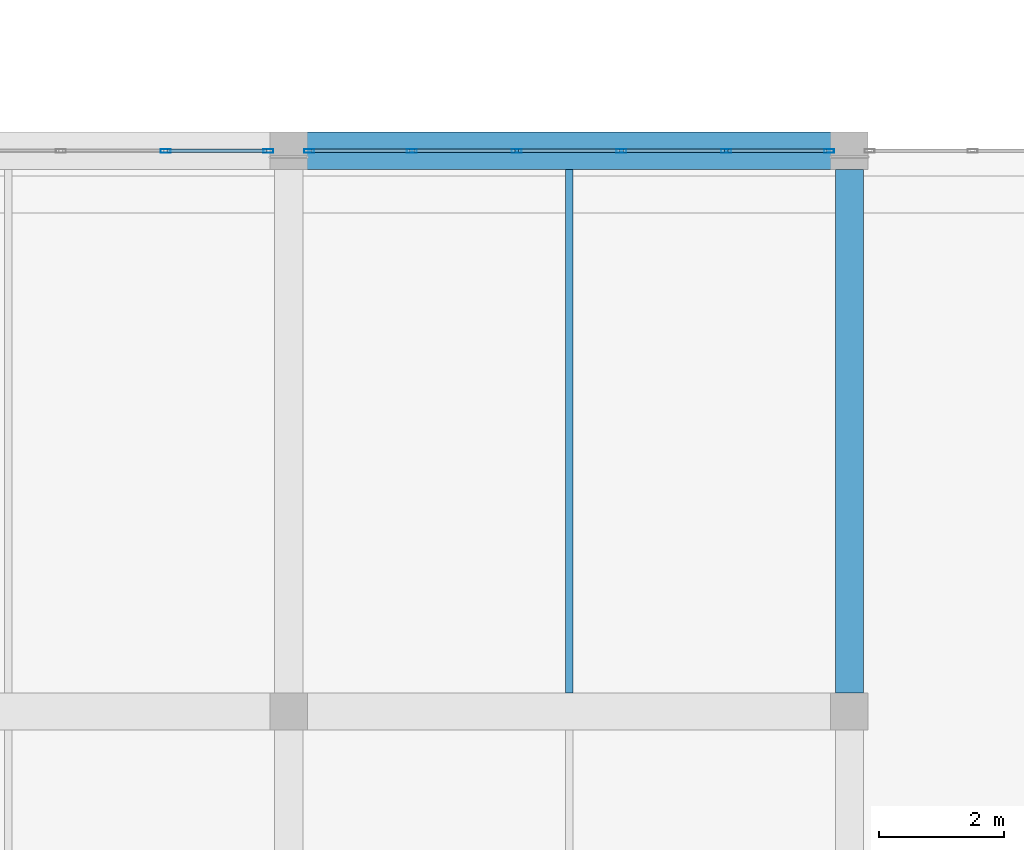
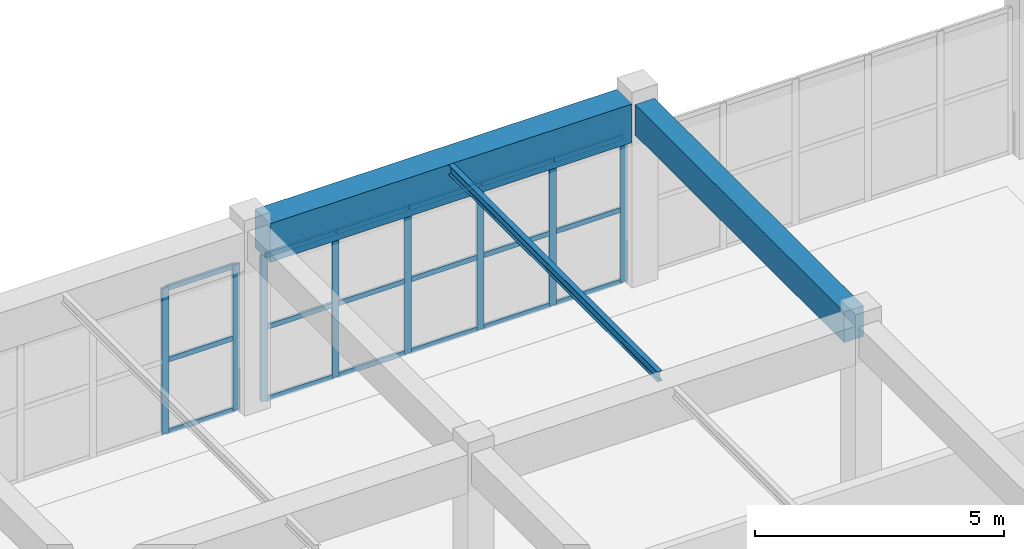
# One storey, part 32 of 89: 26 members, 3 beams, 2 elements without a shape of their own.
"""IFC4 building model written with IfcOpenShell, lengths in metres."""

import ifcopenshell
import ifcopenshell.guid

model = None  # the IFC model being written
_history = None  # IfcOwnerHistory: only IFC2X3 demands one
_inside = {}  # id of a spatial element -> (the spatial element, [elements in it])
_under = {}  # id of a project, library or spatial element -> (it, [spatial elements below it])
_declared = {}  # id of a project -> (the project, [libraries it declares])
_typed = {}  # id of a type object -> (the type object, [elements of that type])
_made_of = {}  # id of a material, layer set ... -> (it, [elements and type objects made of it])


def new_model(schema):
    """Start an empty IFC model of exactly this schema.

    Asked for "IFC4X3", IfcOpenShell would pick the latest addendum, in which some entities
    have other attributes; the version numbers below select the first issue.
    IFC2X3 requires an IfcOwnerHistory on every rooted entity: one is made here for all.
    """
    global model, _history
    if schema == "IFC4X3":
        model = ifcopenshell.file(schema_version=(4, 3, 0, 0))
    else:
        model = ifcopenshell.file(schema=schema)
    _inside.clear()
    _under.clear()
    _declared.clear()
    _typed.clear()
    _made_of.clear()
    _history = None
    if model.schema == "IFC2X3":
        org = make("IfcOrganization", Name="unknown")
        user = make(
            "IfcPersonAndOrganization",
            ThePerson=make("IfcPerson", FamilyName="unknown"),
            TheOrganization=org,
        )
        app = make(
            "IfcApplication",
            ApplicationDeveloper=org,
            Version="unknown",
            ApplicationFullName="unknown",
            ApplicationIdentifier="unknown",
        )
        _history = make(
            "IfcOwnerHistory",
            OwningUser=user,
            OwningApplication=app,
            ChangeAction="ADDED",
            CreationDate=0,
        )
    return model


def make(cls, **values):
    """One entity of the class cls with the attributes given. An attribute that is None is left unset."""
    return model.create_entity(
        cls, **{name: value for name, value in values.items() if value is not None}
    )


def rooted(cls, **values):
    """An entity with a GlobalId (a new one), such as an element, a storey or a relation."""
    return make(cls, GlobalId=ifcopenshell.guid.new(), OwnerHistory=_history, **values)


def si_unit(unit_type, name, prefix=None):
    """IfcSIUnit, for example si_unit("LENGTHUNIT", "METRE", prefix="MILLI")."""
    return make("IfcSIUnit", UnitType=unit_type, Prefix=prefix, Name=name)


def assignment(units):
    """IfcUnitAssignment: the units of a project."""
    return None if units is None else make("IfcUnitAssignment", Units=units)


def point(xyz):
    """IfcCartesianPoint."""
    return None if xyz is None else make("IfcCartesianPoint", Coordinates=xyz)


def direction(xyz):
    """IfcDirection."""
    return None if xyz is None else make("IfcDirection", DirectionRatios=xyz)


def frame(location, z_axis=None, x_axis=None):
    """IfcAxis2Placement3D, a coordinate frame: its origin and axes. An axis left out is left unset."""
    return make(
        "IfcAxis2Placement3D",
        Location=point(location),
        Axis=direction(z_axis),
        RefDirection=direction(x_axis),
    )


def frame_2d(location, x_axis=None):
    """IfcAxis2Placement2D, a coordinate frame in the plane: its origin and x axis."""
    return make(
        "IfcAxis2Placement2D", Location=point(location), RefDirection=direction(x_axis)
    )


def origin():
    """The frame at (0, 0, 0) with its axes left unset."""
    return frame((0.0, 0.0, 0.0))


def origin_2d():
    """The frame at (0, 0) in the plane with its x axis left unset."""
    return frame_2d((0.0, 0.0))


def place(relative_to, where):
    """IfcLocalPlacement: puts the frame where relative to a parent placement (None: the world)."""
    return make(
        "IfcLocalPlacement", PlacementRelTo=relative_to, RelativePlacement=where
    )


def context(
    kind, dimensions, precision=None, world=None, true_north=None, identifier=None
):
    """IfcGeometricRepresentationContext, for example the 3D "Model" context."""
    return make(
        "IfcGeometricRepresentationContext",
        ContextIdentifier=identifier,
        ContextType=kind,
        CoordinateSpaceDimension=dimensions,
        Precision=precision,
        WorldCoordinateSystem=world,
        TrueNorth=true_north,
    )


def subcontext(parent, identifier, kind, view, scale=None):
    """IfcGeometricRepresentationSubContext, for example "Body" below "Model"."""
    return make(
        "IfcGeometricRepresentationSubContext",
        ContextIdentifier=identifier,
        ContextType=kind,
        ParentContext=parent,
        TargetScale=scale,
        TargetView=view,
    )


def project(units=None, contexts=None):
    """IfcProject with its units and contexts."""
    return rooted(
        "IfcProject",
        Name="project",
        RepresentationContexts=contexts,
        UnitsInContext=assignment(units),
    )


def spatial(cls, under=None, at=None, **own):
    """A site, building, storey or space (cls), placed at a placement, below another one or the project."""
    s = rooted(cls, ObjectPlacement=at, **own)
    if under is not None:
        _under.setdefault(under.id(), (under, []))[1].append(s)
    return s


def profile(cls, at=None, kind="AREA", **sizes):
    """A parametric profile (cls). Its sizes go by their IFC names, for example OverallWidth=200.0."""
    return make(cls, ProfileType=kind, Position=at, **sizes)


def rectangle(**sizes):
    """IfcRectangleProfileDef."""
    return profile("IfcRectangleProfileDef", **sizes)


def hollow_rectangle(**sizes):
    """IfcRectangleHollowProfileDef."""
    return profile("IfcRectangleHollowProfileDef", **sizes)


def i_section(**sizes):
    """IfcIShapeProfileDef."""
    return profile("IfcIShapeProfileDef", **sizes)


def extrude(swept, where, along, depth):
    """IfcExtrudedAreaSolid: the profile swept, set in the frame where, extruded along a direction by depth."""
    return make(
        "IfcExtrudedAreaSolid",
        SweptArea=swept,
        Position=where,
        ExtrudedDirection=direction(along),
        Depth=depth,
    )


def shape(context_of_items, identifier, shape_type, items):
    """IfcShapeRepresentation: the items that make up one representation, for example the "Body"."""
    return make(
        "IfcShapeRepresentation",
        ContextOfItems=context_of_items,
        RepresentationIdentifier=identifier,
        RepresentationType=shape_type,
        Items=items,
    )


def material(Name=None, Category=None):
    """IfcMaterial."""
    return make("IfcMaterial", Name=Name, Category=Category)


def layer(
    of_material, thickness, ventilated=None, Name=None, Category=None, Priority=None
):
    """IfcMaterialLayer: one layer of a wall or slab, of a material (None: an air gap)."""
    return make(
        "IfcMaterialLayer",
        Material=of_material,
        LayerThickness=thickness,
        IsVentilated=ventilated,
        Name=Name,
        Category=Category,
        Priority=Priority,
    )


def layer_set(layers, Name=None):
    """IfcMaterialLayerSet."""
    return make("IfcMaterialLayerSet", MaterialLayers=layers, LayerSetName=Name)


def material_profile(
    of_material, cross_section, Name=None, Category=None, Priority=None
):
    """IfcMaterialProfile: a cross section and its material."""
    return make(
        "IfcMaterialProfile",
        Name=Name,
        Material=of_material,
        Profile=cross_section,
        Priority=Priority,
        Category=Category,
    )


def profile_set(profiles, Name=None, composite=None):
    """IfcMaterialProfileSet."""
    return make(
        "IfcMaterialProfileSet",
        Name=Name,
        MaterialProfiles=profiles,
        CompositeProfile=composite,
    )


def made_of(thing, what):
    """Note that an element or type object is made of a material, layer set ...; save() writes the relation."""
    if what is not None:
        _made_of.setdefault(what.id(), (what, []))[1].append(thing)
    return thing


def type_object(cls, material=None, **own):
    """A type object (cls), such as IfcWallType, which elements share."""
    return made_of(rooted(cls, **own), material)


def element(
    cls,
    number,
    at=None,
    inside=None,
    cuts=None,
    type_object=None,
    material=None,
    context=None,
    identifier="Body",
    shape_type=None,
    held_by="IfcProductDefinitionShape",
    body=None,
    shapes=None,
    **own,
):
    """One element of the class cls, such as IfcWall. Its Tag is "e" and its number.

    at: its placement. inside: the storey or other place that contains it. cuts: it is an
    opening in that element (IfcRelVoidsElement). A single representation is given by context,
    identifier, shape_type and body (its items); several are given by shapes. held_by: the class
    of the entity that holds the representations. save() writes the other relations.
    """
    e = rooted(cls, Tag="e%d" % number, ObjectPlacement=at, **own)
    if body is not None:
        shapes = [shape(context, identifier, shape_type, body)]
    if shapes is not None:
        e.Representation = make(held_by, Representations=shapes)
    if inside is not None:
        _inside.setdefault(inside.id(), (inside, []))[1].append(e)
    if cuts is not None:
        rooted(
            "IfcRelVoidsElement", RelatingBuildingElement=cuts, RelatedOpeningElement=e
        )
    if type_object is not None:
        _typed.setdefault(type_object.id(), (type_object, []))[1].append(e)
    return made_of(e, material)


def aggregate(whole, parts):
    """IfcRelAggregates: a whole, such as a stair, and the parts it consists of."""
    return rooted("IfcRelAggregates", RelatingObject=whole, RelatedObjects=parts)


def save(model, path):
    """Write the relations noted so far, then the file.

    IfcRelAggregates (storeys below a building ...), IfcRelContainedInSpatialStructure (elements
    in a storey), IfcRelDefinesByType, IfcRelAssociatesMaterial and IfcRelDeclares: one each for
    every whole, place, type object, material and project.
    """
    for whole, parts in _under.values():
        aggregate(whole, parts)
    for where, things in _inside.values():
        rooted(
            "IfcRelContainedInSpatialStructure",
            RelatedElements=things,
            RelatingStructure=where,
        )
    for kind, things in _typed.values():
        rooted("IfcRelDefinesByType", RelatedObjects=things, RelatingType=kind)
    for what, things in _made_of.values():
        rooted("IfcRelAssociatesMaterial", RelatedObjects=things, RelatingMaterial=what)
    for by, libraries in _declared.values():
        rooted("IfcRelDeclares", RelatingContext=by, RelatedDefinitions=libraries)
    model.write(path)


model = new_model("IFC4")

# Units and contexts
model_context = context("Model", 3, precision=1e-05, world=origin(), true_north=direction((0.0, 1.0)))
body_context = subcontext(model_context, "Body", "Model", "MODEL_VIEW")
ifc_project = project(units=[si_unit("LENGTHUNIT", "METRE"), si_unit("AREAUNIT", "SQUARE_METRE"), si_unit("VOLUMEUNIT", "CUBIC_METRE"), si_unit("PLANEANGLEUNIT", "RADIAN"), si_unit("MASSUNIT", "GRAM", prefix="KILO")], contexts=[model_context])

# Site, building, storey
site_placement = place(None, origin())
site = spatial("IfcSite", under=ifc_project, at=site_placement, CompositionType="ELEMENT")
building_placement = place(site_placement, origin())
building = spatial("IfcBuilding", under=site, at=building_placement, Name="Dornveld Trade and Exhibition Forum", CompositionType="ELEMENT")
storey_placement = place(building_placement, frame((0.0, 0.0, 12.0)))
storey = spatial("IfcBuildingStorey", under=building, at=storey_placement, Name="L02", CompositionType="ELEMENT", Elevation=12.0)

# Beams
ifc_material_1 = material(Name="Steel S355J2", Category="steel")
ifc_material_profile_1 = material_profile(ifc_material_1, i_section(OverallWidth=0.1201171875, OverallDepth=0.239990234375, WebThickness=0.006103515625, FlangeThickness=0.009765625, FilletRadius=0.014892578125, at=origin_2d()), Name="IPE 240")
ifc_profile_set_1 = profile_set([ifc_material_profile_1], Name="Steel S355J2")
beam_type_1 = type_object("IfcBeamType", Name="BM-JOIST-240", PredefinedType="JOIST", material=ifc_profile_set_1)
beam_1_placement = place(storey_placement, frame((211.5, 45.297119140625, 4.39990234375), z_axis=(0.0, 1.0, 0.0), x_axis=(-1.0, 0.0, 0.0)))
element("IfcBeam", 1, at=beam_1_placement, inside=storey, type_object=beam_type_1, Name="L02 secondary joist 1584", PredefinedType="JOIST", context=body_context, shape_type="SweptSolid", body=[
    extrude(i_section(OverallWidth=0.1201171875, OverallDepth=0.239990234375, WebThickness=0.006103515625, FlangeThickness=0.009765625, FilletRadius=0.014892578125, at=origin_2d()), origin(), (0.0, 0.0, 1.0), 8.40576171875),
])
ifc_material_2 = material(Name="Precast concrete C50/60", Category="concrete")
ifc_material_profile_2 = material_profile(ifc_material_2, rectangle(XDim=0.449951171875, YDim=0.75, at=origin_2d()), Name="PC-BM 450x750")
ifc_profile_set_2 = profile_set([ifc_material_profile_2], Name="Precast concrete C50/60")
beam_type_2 = type_object("IfcBeamType", Name="BM-PC-450x750", PredefinedType="BEAM", material=ifc_profile_set_2)
beam_2_placement = place(storey_placement, frame((216.0, 45.2958984375, 4.10302734375), z_axis=(0.0, 1.0, 0.0), x_axis=(-1.0, 0.0, 0.0)))
element("IfcBeam", 2, at=beam_2_placement, inside=storey, type_object=beam_type_2, Name="L02 Y-girder 1575", PredefinedType="BEAM", context=body_context, shape_type="SweptSolid", body=[
    extrude(rectangle(XDim=0.449951171875, YDim=0.75, at=origin_2d()), origin(), (0.0, 0.0, 1.0), 8.408203125),
])
ifc_material_3 = material(Name="Precast concrete C50/60", Category="concrete")
ifc_material_profile_3 = material_profile(ifc_material_3, rectangle(XDim=0.60009765625, YDim=0.949951171875, at=origin_2d()), Name="PC-GIR 600x950")
ifc_profile_set_3 = profile_set([ifc_material_profile_3], Name="Precast concrete C50/60")
beam_type_3 = type_object("IfcBeamType", Name="BM-PC-600x950", PredefinedType="T_BEAM", material=ifc_profile_set_3)
beam_3_placement = place(storey_placement, frame((207.2958984375, 54.0, 4.044921875), z_axis=(1.0, 0.0, 0.0), x_axis=(0.0, 1.0, 0.0)))
element("IfcBeam", 3, at=beam_3_placement, inside=storey, type_object=beam_type_3, Name="L02 X-girder 1557", PredefinedType="T_BEAM", context=body_context, shape_type="SweptSolid", body=[
    extrude(rectangle(XDim=0.60009765625, YDim=0.949951171875, at=origin_2d()), origin(), (0.0, 0.0, 1.0), 8.408203125),
])

# Curtain wall, members
ifc_material_4 = material(Name="Dark-bronze anodised aluminium and low-E glass", Category="aluminium")
ifc_layer_1 = layer(ifc_material_4, 0.14501953125)
ifc_layer_set_1 = layer_set([ifc_layer_1], Name="Dark-bronze anodised aluminium and low-E glass")
curtain_wall_type_1 = type_object("IfcCurtainWallType", Name="CW-SYS-01", PredefinedType="USERDEFINED", material=ifc_layer_set_1)
curtain_wall_1_placement = place(storey_placement, origin())
curtain_wall_1 = element("IfcCurtainWall", 4, at=curtain_wall_1_placement, inside=storey, type_object=curtain_wall_type_1, Name="L02 unitised curtain wall 91", ObjectType="UNITISED_CURTAIN_WALL", PredefinedType="USERDEFINED")
ifc_material_5 = material(Name="Dark-bronze anodised aluminium", Category="aluminium")
ifc_material_profile_4 = material_profile(ifc_material_5, hollow_rectangle(XDim=0.06005859375, YDim=0.159912109375, WallThickness=0.00390625, at=origin_2d()), Name="RHS 160x60x4")
ifc_profile_set_4 = profile_set([ifc_material_profile_4], Name="Dark-bronze anodised aluminium")
member_type_1 = type_object("IfcMemberType", Name="CW-MUL-160", PredefinedType="MULLION", material=ifc_profile_set_4)
member_1_placement = place(storey_placement, frame((206.674072265625, 54.0, -0.00390625), z_axis=(0.0, 0.0, 1.0), x_axis=(0.0, -1.0, 0.0)))
member_1 = element("IfcMember", 5, at=member_1_placement, type_object=member_type_1, Name="CW-01 mullion 1", PredefinedType="MULLION", context=body_context, shape_type="SweptSolid", body=[
    extrude(hollow_rectangle(XDim=0.06005859375, YDim=0.159912109375, WallThickness=0.00390625, at=origin_2d()), origin(), (0.0, 0.0, 1.0), 3.583984375),
])
member_2_placement = place(storey_placement, frame((205.0224609375, 54.0, -0.00390625), z_axis=(0.0, 0.0, 1.0), x_axis=(0.0, -1.0, 0.0)))
member_2 = element("IfcMember", 6, at=member_2_placement, type_object=member_type_1, Name="CW-01 mullion 2", PredefinedType="MULLION", context=body_context, shape_type="SweptSolid", body=[
    extrude(hollow_rectangle(XDim=0.06005859375, YDim=0.159912109375, WallThickness=0.00390625, at=origin_2d()), origin(), (0.0, 0.0, 1.0), 3.583984375),
])

ifc_material_6 = material(Name="Dark-bronze anodised aluminium and low-E glass", Category="aluminium")
ifc_layer_2 = layer(ifc_material_6, 0.14794921875)
ifc_layer_set_2 = layer_set([ifc_layer_2], Name="Dark-bronze anodised aluminium and low-E glass")
curtain_wall_type_2 = type_object("IfcCurtainWallType", Name="CW-SYS-02", PredefinedType="USERDEFINED", material=ifc_layer_set_2)
curtain_wall_2_placement = place(storey_placement, origin())
curtain_wall_2 = element("IfcCurtainWall", 7, at=curtain_wall_2_placement, inside=storey, type_object=curtain_wall_type_2, Name="L02 unitised curtain wall 92", ObjectType="UNITISED_CURTAIN_WALL", PredefinedType="USERDEFINED")
member_3_placement = place(storey_placement, frame((215.674072265625, 54.0, -0.00390625), z_axis=(0.0, 0.0, 1.0), x_axis=(0.0, -1.0, 0.0)))
member_3 = element("IfcMember", 8, at=member_3_placement, type_object=member_type_1, Name="CW-02 mullion 1", PredefinedType="MULLION", context=body_context, shape_type="SweptSolid", body=[
    extrude(hollow_rectangle(XDim=0.06005859375, YDim=0.159912109375, WallThickness=0.00390625, at=origin_2d()), origin(), (0.0, 0.0, 1.0), 3.583984375),
])
member_4_placement = place(storey_placement, frame((214.0224609375, 54.0, -0.00390625), z_axis=(0.0, 0.0, 1.0), x_axis=(0.0, -1.0, 0.0)))
member_4 = element("IfcMember", 9, at=member_4_placement, type_object=member_type_1, Name="CW-02 mullion 2", PredefinedType="MULLION", context=body_context, shape_type="SweptSolid", body=[
    extrude(hollow_rectangle(XDim=0.06005859375, YDim=0.159912109375, WallThickness=0.00390625, at=origin_2d()), origin(), (0.0, 0.0, 1.0), 3.583984375),
])
member_5_placement = place(storey_placement, frame((212.3408203125, 54.0, -0.00390625), z_axis=(0.0, 0.0, 1.0), x_axis=(0.0, -1.0, 0.0)))
member_5 = element("IfcMember", 10, at=member_5_placement, type_object=member_type_1, Name="CW-02 mullion 3", PredefinedType="MULLION", context=body_context, shape_type="SweptSolid", body=[
    extrude(hollow_rectangle(XDim=0.06005859375, YDim=0.159912109375, WallThickness=0.00390625, at=origin_2d()), origin(), (0.0, 0.0, 1.0), 3.583984375),
])
member_6_placement = place(storey_placement, frame((210.6591796875, 54.0, -0.00390625), z_axis=(0.0, 0.0, 1.0), x_axis=(0.0, -1.0, 0.0)))
member_6 = element("IfcMember", 11, at=member_6_placement, type_object=member_type_1, Name="CW-02 mullion 4", PredefinedType="MULLION", context=body_context, shape_type="SweptSolid", body=[
    extrude(hollow_rectangle(XDim=0.06005859375, YDim=0.159912109375, WallThickness=0.00390625, at=origin_2d()), origin(), (0.0, 0.0, 1.0), 3.583984375),
])
member_7_placement = place(storey_placement, frame((208.9775390625, 54.0, -0.00390625), z_axis=(0.0, 0.0, 1.0), x_axis=(0.0, -1.0, 0.0)))
member_7 = element("IfcMember", 12, at=member_7_placement, type_object=member_type_1, Name="CW-02 mullion 5", PredefinedType="MULLION", context=body_context, shape_type="SweptSolid", body=[
    extrude(hollow_rectangle(XDim=0.06005859375, YDim=0.159912109375, WallThickness=0.00390625, at=origin_2d()), origin(), (0.0, 0.0, 1.0), 3.583984375),
])
member_8_placement = place(storey_placement, frame((207.325927734375, 54.0, -0.00390625), z_axis=(0.0, 0.0, 1.0), x_axis=(0.0, -1.0, 0.0)))
member_8 = element("IfcMember", 13, at=member_8_placement, type_object=member_type_1, Name="CW-02 mullion 6", PredefinedType="MULLION", context=body_context, shape_type="SweptSolid", body=[
    extrude(hollow_rectangle(XDim=0.06005859375, YDim=0.159912109375, WallThickness=0.00390625, at=origin_2d()), origin(), (0.0, 0.0, 1.0), 3.583984375),
])

# Member
ifc_material_7 = material(Name="Dark-bronze anodised aluminium", Category="aluminium")
ifc_material_profile_5 = material_profile(ifc_material_7, hollow_rectangle(XDim=0.06005859375, YDim=0.1201171875, WallThickness=0.00390625, at=origin_2d()), Name="RHS 120x60x4")
ifc_profile_set_5 = profile_set([ifc_material_profile_5], Name="Dark-bronze anodised aluminium")
member_type_2 = type_object("IfcMemberType", Name="CW-TRN-120", PredefinedType="USERDEFINED", material=ifc_profile_set_5)
member_9_placement = place(storey_placement, frame((206.64404296875, 54.0, 0.02587890625), z_axis=(-1.0, 0.0, 0.0), x_axis=(0.0, -1.0, 0.0)))
member_9 = element("IfcMember", 14, at=member_9_placement, type_object=member_type_2, Name="CW-01 transom 1.1", ObjectType="TRANSOM", PredefinedType="USERDEFINED", context=body_context, shape_type="SweptSolid", body=[
    extrude(hollow_rectangle(XDim=0.06005859375, YDim=0.1201171875, WallThickness=0.00390625, at=origin_2d()), origin(), (0.0, 0.0, 1.0), 1.591552734375),
])

member_10_placement = place(storey_placement, frame((206.64404296875, 54.0, 1.7880859375), z_axis=(-1.0, 0.0, 0.0), x_axis=(0.0, -1.0, 0.0)))
member_10 = element("IfcMember", 15, at=member_10_placement, type_object=member_type_2, Name="CW-01 transom 1.2", ObjectType="TRANSOM", PredefinedType="USERDEFINED", context=body_context, shape_type="SweptSolid", body=[
    extrude(hollow_rectangle(XDim=0.06005859375, YDim=0.1201171875, WallThickness=0.00390625, at=origin_2d()), origin(), (0.0, 0.0, 1.0), 1.591552734375),
])

member_11_placement = place(storey_placement, frame((206.64404296875, 54.0, 3.550048828125), z_axis=(-1.0, 0.0, 0.0), x_axis=(0.0, -1.0, 0.0)))
member_11 = element("IfcMember", 16, at=member_11_placement, type_object=member_type_2, Name="CW-01 transom 1.3", ObjectType="TRANSOM", PredefinedType="USERDEFINED", context=body_context, shape_type="SweptSolid", body=[
    extrude(hollow_rectangle(XDim=0.06005859375, YDim=0.1201171875, WallThickness=0.00390625, at=origin_2d()), origin(), (0.0, 0.0, 1.0), 1.591552734375),
])

aggregate(curtain_wall_1, [member_1, member_2, member_9, member_10, member_11])

member_12_placement = place(storey_placement, frame((215.64404296875, 54.0, 0.02587890625), z_axis=(-1.0, 0.0, 0.0), x_axis=(0.0, -1.0, 0.0)))
member_12 = element("IfcMember", 17, at=member_12_placement, type_object=member_type_2, Name="CW-02 transom 1.1", ObjectType="TRANSOM", PredefinedType="USERDEFINED", context=body_context, shape_type="SweptSolid", body=[
    extrude(hollow_rectangle(XDim=0.06005859375, YDim=0.1201171875, WallThickness=0.00390625, at=origin_2d()), origin(), (0.0, 0.0, 1.0), 1.591552734375),
])

member_13_placement = place(storey_placement, frame((215.64404296875, 54.0, 1.7880859375), z_axis=(-1.0, 0.0, 0.0), x_axis=(0.0, -1.0, 0.0)))
member_13 = element("IfcMember", 18, at=member_13_placement, type_object=member_type_2, Name="CW-02 transom 1.2", ObjectType="TRANSOM", PredefinedType="USERDEFINED", context=body_context, shape_type="SweptSolid", body=[
    extrude(hollow_rectangle(XDim=0.06005859375, YDim=0.1201171875, WallThickness=0.00390625, at=origin_2d()), origin(), (0.0, 0.0, 1.0), 1.591552734375),
])

member_14_placement = place(storey_placement, frame((215.64404296875, 54.0, 3.550048828125), z_axis=(-1.0, 0.0, 0.0), x_axis=(0.0, -1.0, 0.0)))
member_14 = element("IfcMember", 19, at=member_14_placement, type_object=member_type_2, Name="CW-02 transom 1.3", ObjectType="TRANSOM", PredefinedType="USERDEFINED", context=body_context, shape_type="SweptSolid", body=[
    extrude(hollow_rectangle(XDim=0.06005859375, YDim=0.1201171875, WallThickness=0.00390625, at=origin_2d()), origin(), (0.0, 0.0, 1.0), 1.591552734375),
])

member_15_placement = place(storey_placement, frame((213.992431640625, 54.0, 0.02587890625), z_axis=(-1.0, 0.0, 0.0), x_axis=(0.0, -1.0, 0.0)))
member_15 = element("IfcMember", 20, at=member_15_placement, type_object=member_type_2, Name="CW-02 transom 2.1", ObjectType="TRANSOM", PredefinedType="USERDEFINED", context=body_context, shape_type="SweptSolid", body=[
    extrude(hollow_rectangle(XDim=0.06005859375, YDim=0.1201171875, WallThickness=0.00390625, at=origin_2d()), origin(), (0.0, 0.0, 1.0), 1.62158203125),
])

member_16_placement = place(storey_placement, frame((213.992431640625, 54.0, 1.7880859375), z_axis=(-1.0, 0.0, 0.0), x_axis=(0.0, -1.0, 0.0)))
member_16 = element("IfcMember", 21, at=member_16_placement, type_object=member_type_2, Name="CW-02 transom 2.2", ObjectType="TRANSOM", PredefinedType="USERDEFINED", context=body_context, shape_type="SweptSolid", body=[
    extrude(hollow_rectangle(XDim=0.06005859375, YDim=0.1201171875, WallThickness=0.00390625, at=origin_2d()), origin(), (0.0, 0.0, 1.0), 1.62158203125),
])

member_17_placement = place(storey_placement, frame((213.992431640625, 54.0, 3.550048828125), z_axis=(-1.0, 0.0, 0.0), x_axis=(0.0, -1.0, 0.0)))
member_17 = element("IfcMember", 22, at=member_17_placement, type_object=member_type_2, Name="CW-02 transom 2.3", ObjectType="TRANSOM", PredefinedType="USERDEFINED", context=body_context, shape_type="SweptSolid", body=[
    extrude(hollow_rectangle(XDim=0.06005859375, YDim=0.1201171875, WallThickness=0.00390625, at=origin_2d()), origin(), (0.0, 0.0, 1.0), 1.62158203125),
])

member_18_placement = place(storey_placement, frame((212.310791015625, 54.0, 0.02587890625), z_axis=(-1.0, 0.0, 0.0), x_axis=(0.0, -1.0, 0.0)))
member_18 = element("IfcMember", 23, at=member_18_placement, type_object=member_type_2, Name="CW-02 transom 3.1", ObjectType="TRANSOM", PredefinedType="USERDEFINED", context=body_context, shape_type="SweptSolid", body=[
    extrude(hollow_rectangle(XDim=0.06005859375, YDim=0.1201171875, WallThickness=0.00390625, at=origin_2d()), origin(), (0.0, 0.0, 1.0), 1.62158203125),
])

member_19_placement = place(storey_placement, frame((212.310791015625, 54.0, 1.7880859375), z_axis=(-1.0, 0.0, 0.0), x_axis=(0.0, -1.0, 0.0)))
member_19 = element("IfcMember", 24, at=member_19_placement, type_object=member_type_2, Name="CW-02 transom 3.2", ObjectType="TRANSOM", PredefinedType="USERDEFINED", context=body_context, shape_type="SweptSolid", body=[
    extrude(hollow_rectangle(XDim=0.06005859375, YDim=0.1201171875, WallThickness=0.00390625, at=origin_2d()), origin(), (0.0, 0.0, 1.0), 1.62158203125),
])

member_20_placement = place(storey_placement, frame((212.310791015625, 54.0, 3.550048828125), z_axis=(-1.0, 0.0, 0.0), x_axis=(0.0, -1.0, 0.0)))
member_20 = element("IfcMember", 25, at=member_20_placement, type_object=member_type_2, Name="CW-02 transom 3.3", ObjectType="TRANSOM", PredefinedType="USERDEFINED", context=body_context, shape_type="SweptSolid", body=[
    extrude(hollow_rectangle(XDim=0.06005859375, YDim=0.1201171875, WallThickness=0.00390625, at=origin_2d()), origin(), (0.0, 0.0, 1.0), 1.62158203125),
])

member_21_placement = place(storey_placement, frame((210.629150390625, 54.0, 0.02587890625), z_axis=(-1.0, 0.0, 0.0), x_axis=(0.0, -1.0, 0.0)))
member_21 = element("IfcMember", 26, at=member_21_placement, type_object=member_type_2, Name="CW-02 transom 4.1", ObjectType="TRANSOM", PredefinedType="USERDEFINED", context=body_context, shape_type="SweptSolid", body=[
    extrude(hollow_rectangle(XDim=0.06005859375, YDim=0.1201171875, WallThickness=0.00390625, at=origin_2d()), origin(), (0.0, 0.0, 1.0), 1.62158203125),
])

member_22_placement = place(storey_placement, frame((210.629150390625, 54.0, 1.7880859375), z_axis=(-1.0, 0.0, 0.0), x_axis=(0.0, -1.0, 0.0)))
member_22 = element("IfcMember", 27, at=member_22_placement, type_object=member_type_2, Name="CW-02 transom 4.2", ObjectType="TRANSOM", PredefinedType="USERDEFINED", context=body_context, shape_type="SweptSolid", body=[
    extrude(hollow_rectangle(XDim=0.06005859375, YDim=0.1201171875, WallThickness=0.00390625, at=origin_2d()), origin(), (0.0, 0.0, 1.0), 1.62158203125),
])

member_23_placement = place(storey_placement, frame((210.629150390625, 54.0, 3.550048828125), z_axis=(-1.0, 0.0, 0.0), x_axis=(0.0, -1.0, 0.0)))
member_23 = element("IfcMember", 28, at=member_23_placement, type_object=member_type_2, Name="CW-02 transom 4.3", ObjectType="TRANSOM", PredefinedType="USERDEFINED", context=body_context, shape_type="SweptSolid", body=[
    extrude(hollow_rectangle(XDim=0.06005859375, YDim=0.1201171875, WallThickness=0.00390625, at=origin_2d()), origin(), (0.0, 0.0, 1.0), 1.62158203125),
])

member_24_placement = place(storey_placement, frame((208.947509765625, 54.0, 0.02587890625), z_axis=(-1.0, 0.0, 0.0), x_axis=(0.0, -1.0, 0.0)))
member_24 = element("IfcMember", 29, at=member_24_placement, type_object=member_type_2, Name="CW-02 transom 5.1", ObjectType="TRANSOM", PredefinedType="USERDEFINED", context=body_context, shape_type="SweptSolid", body=[
    extrude(hollow_rectangle(XDim=0.06005859375, YDim=0.1201171875, WallThickness=0.00390625, at=origin_2d()), origin(), (0.0, 0.0, 1.0), 1.591552734375),
])

member_25_placement = place(storey_placement, frame((208.947509765625, 54.0, 1.7880859375), z_axis=(-1.0, 0.0, 0.0), x_axis=(0.0, -1.0, 0.0)))
member_25 = element("IfcMember", 30, at=member_25_placement, type_object=member_type_2, Name="CW-02 transom 5.2", ObjectType="TRANSOM", PredefinedType="USERDEFINED", context=body_context, shape_type="SweptSolid", body=[
    extrude(hollow_rectangle(XDim=0.06005859375, YDim=0.1201171875, WallThickness=0.00390625, at=origin_2d()), origin(), (0.0, 0.0, 1.0), 1.591552734375),
])

member_26_placement = place(storey_placement, frame((208.947509765625, 54.0, 3.550048828125), z_axis=(-1.0, 0.0, 0.0), x_axis=(0.0, -1.0, 0.0)))
member_26 = element("IfcMember", 31, at=member_26_placement, type_object=member_type_2, Name="CW-02 transom 5.3", ObjectType="TRANSOM", PredefinedType="USERDEFINED", context=body_context, shape_type="SweptSolid", body=[
    extrude(hollow_rectangle(XDim=0.06005859375, YDim=0.1201171875, WallThickness=0.00390625, at=origin_2d()), origin(), (0.0, 0.0, 1.0), 1.591552734375),
])

aggregate(curtain_wall_2, [member_3, member_4, member_5, member_6, member_7, member_8, member_12, member_13, member_14, member_15, member_16, member_17, member_18, member_19, member_20, member_21, member_22, member_23, member_24, member_25, member_26])

save(model, "model.ifc")
